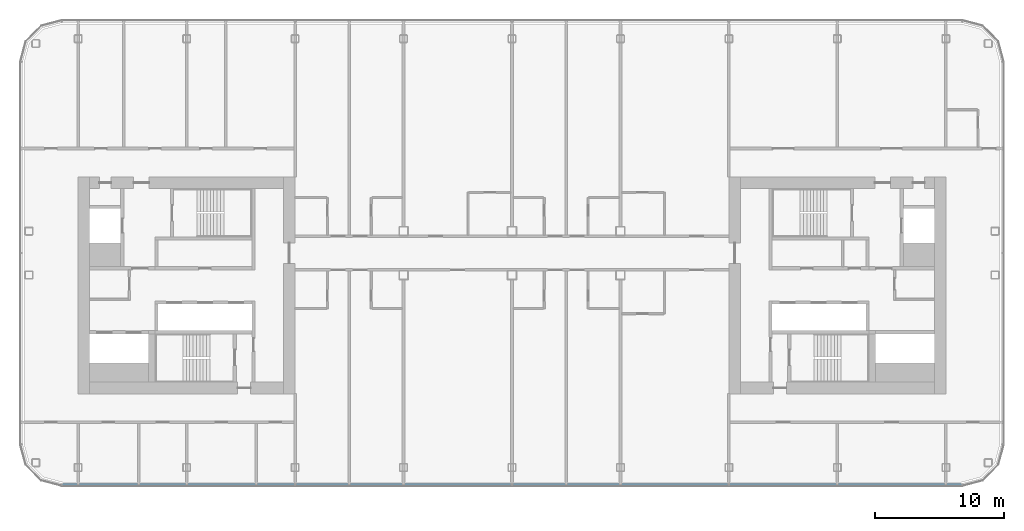
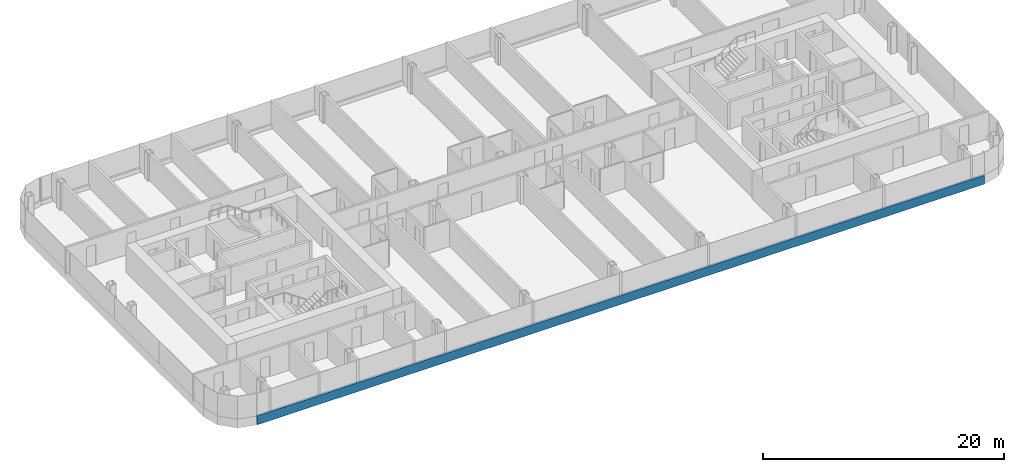
# One storey, part 4 of 26: 1 member, 1 element without a shape of its own.
"""IFC4 building model written with IfcOpenShell, lengths in metres."""

from ifc_helpers import new_model, si_unit, direction, frame, origin, origin_2d, place, context, subcontext, project, spatial, rectangle, extrude, material, layer, layer_set, material_profile, profile_set, type_object, element, aggregate, save


model = new_model("IFC4")

# Units and contexts
model_context = context("Model", 3, precision=1e-05, world=origin(), true_north=direction((0.0, 1.0)))
body_context = subcontext(model_context, "Body", "Model", "MODEL_VIEW")
ifc_project = project(units=[si_unit("LENGTHUNIT", "METRE"), si_unit("AREAUNIT", "SQUARE_METRE"), si_unit("VOLUMEUNIT", "CUBIC_METRE"), si_unit("PLANEANGLEUNIT", "RADIAN"), si_unit("MASSUNIT", "GRAM", prefix="KILO")], contexts=[model_context])

# Site, building, storey
site_placement = place(None, origin())
site = spatial("IfcSite", under=ifc_project, at=site_placement, CompositionType="ELEMENT")
building_placement = place(site_placement, origin())
building = spatial("IfcBuilding", under=site, at=building_placement, Name="Hakoniwa Tower and Hamabe Station Hall", CompositionType="ELEMENT")
storey_placement = place(building_placement, frame((0.0, 0.0, 196.199951171875)))
storey = spatial("IfcBuildingStorey", under=building, at=storey_placement, Name="L55", CompositionType="ELEMENT", Elevation=196.199951171875)

# Curtain wall, member
ifc_material_1 = material(Name="Dark low-e laminated glass", Category="glass")
ifc_layer = layer(ifc_material_1, 0.199951171875)
ifc_layer_set = layer_set([ifc_layer], Name="CW-1 UNITISED GUEST")
curtain_wall_type = type_object("IfcCurtainWallType", Name="CW-1 UNITISED GUEST", PredefinedType="NOTDEFINED", material=ifc_layer_set)
curtain_wall_placement = place(storey_placement, origin())
curtain_wall = element("IfcCurtainWall", 1, at=curtain_wall_placement, inside=storey, type_object=curtain_wall_type, Name="CW-1 curtain wall", PredefinedType="NOTDEFINED")
ifc_material_2 = material(Name="Aluminium 6063-T5 black anodised", Category="aluminium")
ifc_material_profile = material_profile(ifc_material_2, rectangle(XDim=0.199951171875, YDim=0.89990234375, at=origin_2d()), Name="CW SLAB-EDGE BAND 900X200")
ifc_profile_set = profile_set([ifc_material_profile], Name="Aluminium 6063-T5 black anodised")
member_type = type_object("IfcMemberType", Name="CW SLAB-EDGE BAND 900X200", PredefinedType="USERDEFINED", material=ifc_profile_set)
member_placement = place(storey_placement, frame((-34.839599609375, -15.449951171875, -0.099853515625), z_axis=(1.0, 0.0, 0.0), x_axis=(0.0, 1.0, 0.0)))
member = element("IfcMember", 2, at=member_placement, type_object=member_type, Name="CW-1 transom", ObjectType="TRANSOM", PredefinedType="USERDEFINED", context=body_context, shape_type="SweptSolid", body=[
    extrude(rectangle(XDim=0.199951171875, YDim=0.89990234375, at=origin_2d()), origin(), (0.0, 0.0, 1.0), 69.67919921875),
])
aggregate(curtain_wall, [member])

save(model, "model.ifc")
